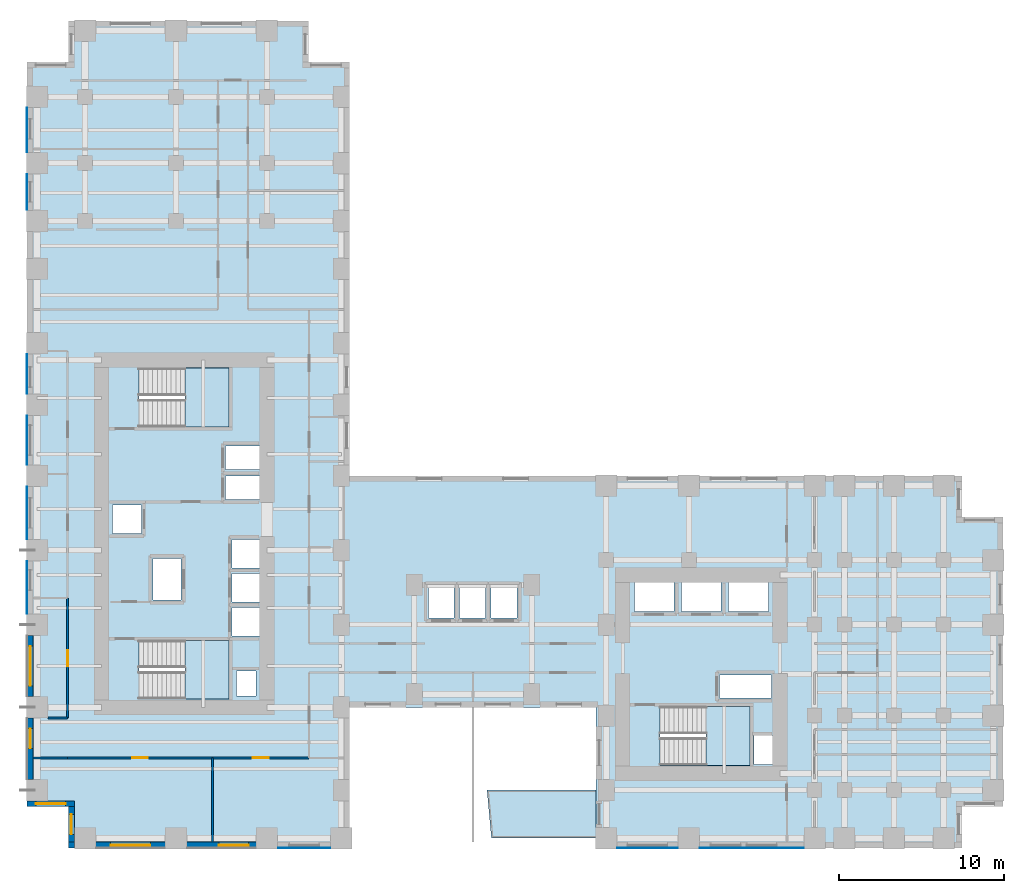
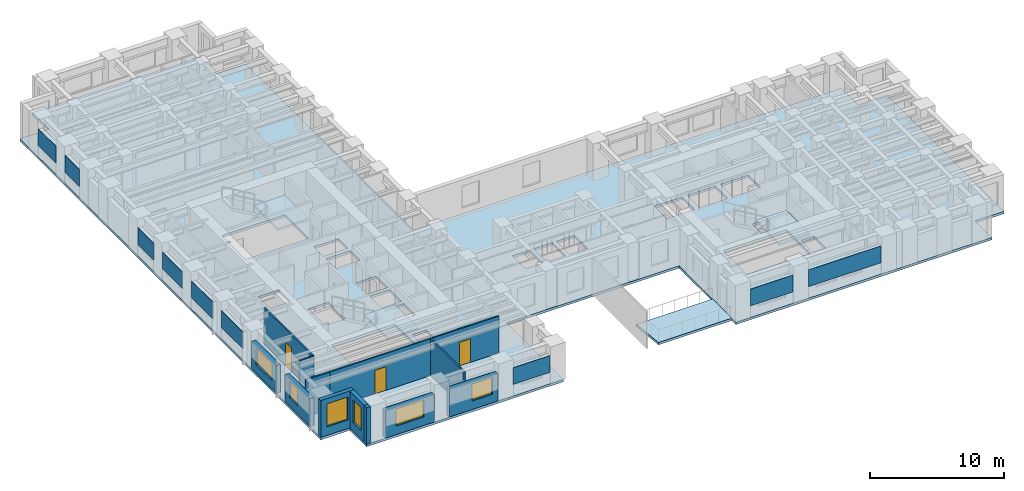
# One storey, part 3 of 13: 13 walls, 9 plates, 6 windows, 5 slabs, 3 doors, 9 openings, 3 elements without a shape of their own.
"""IFC4 building model written with IfcOpenShell, lengths in metres."""

from ifc_helpers import new_model, si_unit, direction, frame, frame_2d, origin, origin_2d, place, context, subcontext, project, spatial, polyline, rectangle, outline, extrude, source, transform, mapped, material, layer, layer_set, type_object, element, fill, aggregate, save


model = new_model("IFC4")

# Units and contexts
model_context = context("Model", 3, precision=1e-05, world=origin(), true_north=direction((0.0, 1.0)))
body_context = subcontext(model_context, "Body", "Model", "MODEL_VIEW")
ifc_project = project(units=[si_unit("LENGTHUNIT", "METRE"), si_unit("AREAUNIT", "SQUARE_METRE"), si_unit("VOLUMEUNIT", "CUBIC_METRE"), si_unit("PLANEANGLEUNIT", "RADIAN"), si_unit("MASSUNIT", "GRAM", prefix="KILO")], contexts=[model_context])

# Site, building, storey
site_placement = place(None, origin())
site = spatial("IfcSite", under=ifc_project, at=site_placement, CompositionType="ELEMENT")
building_placement = place(site_placement, origin())
building = spatial("IfcBuilding", under=site, at=building_placement, Name="Kharzan Plaza Tower", CompositionType="ELEMENT")
storey_placement = place(building_placement, frame((0.0, 0.0, 47.699951171875)))
storey = spatial("IfcBuildingStorey", under=building, at=storey_placement, Name="L12", CompositionType="ELEMENT", Elevation=47.699951171875)

# Slab
ifc_material_1 = material(Name="Concrete C40/50", Category="concrete")
ifc_layer_1 = layer(ifc_material_1, 0.219970703125)
ifc_layer_set_1 = layer_set([ifc_layer_1], Name="Concrete C40/50")
slab_type_1 = type_object("IfcSlabType", Name="SL-FLOOR-220", PredefinedType="FLOOR", material=ifc_layer_set_1)
slab_1_placement = place(storey_placement, frame((0.0, 0.0, -0.219970703125)))
element("IfcSlab", 1, at=slab_1_placement, inside=storey, type_object=slab_type_1, Name="L12 Composite Structural Floor Slab 220 mm", PredefinedType="FLOOR", context=body_context, shape_type="SweptSolid", body=[
    extrude(outline(polyline([(34.39990234375, 22.5), (19.5, 22.5), (19.5, 47.5), (17.0, 47.5), (17.0, 50.0), (2.5, 50.0), (2.5, 47.5), (0.0, 47.5), (0.0, 2.5), (2.5, 2.5), (2.5, 0.0), (19.5, 0.0), (19.5, 8.5), (34.39990234375, 8.5), (34.39990234375, 0.0), (56.5, 0.0), (56.5, 2.5), (59.0, 2.5), (59.0, 20.0), (56.5, 20.0), (56.5, 22.5), (34.39990234375, 22.5)]), holes=[polyline([(13.85009765625, 9.199951171875), (13.85009765625, 10.699951171875), (12.64990234375, 10.699951171875), (12.64990234375, 9.199951171875), (13.85009765625, 9.199951171875)]), polyline([(12.199951171875, 9.0), (12.199951171875, 12.550048828125), (6.75, 12.550048828125), (6.75, 9.0), (12.199951171875, 9.0)]), polyline([(14.10009765625, 12.800048828125), (14.10009765625, 14.530029296875), (12.39990234375, 14.530029296875), (12.39990234375, 12.800048828125), (14.10009765625, 12.800048828125)]), polyline([(14.10009765625, 14.8701171875), (14.10009765625, 16.60009765625), (12.39990234375, 16.60009765625), (12.39990234375, 14.8701171875), (14.10009765625, 14.8701171875)]), polyline([(9.300048828125, 15.0), (9.300048828125, 17.5), (7.60009765625, 17.5), (7.60009765625, 15.0), (9.300048828125, 15.0)]), polyline([(14.10009765625, 16.93994140625), (14.10009765625, 18.64990234375), (12.39990234375, 18.64990234375), (12.39990234375, 16.93994140625), (14.10009765625, 16.93994140625)]), polyline([(6.89990234375, 19.010009765625), (6.89990234375, 20.72998046875), (5.14990234375, 20.72998046875), (5.14990234375, 19.010009765625), (6.89990234375, 19.010009765625)]), polyline([(12.0, 21.070068359375), (14.10009765625, 21.070068359375), (14.10009765625, 22.489990234375), (12.0, 22.489990234375), (12.0, 21.070068359375)]), polyline([(12.0, 22.8701171875), (14.10009765625, 22.8701171875), (14.10009765625, 24.2900390625), (12.0, 24.2900390625), (12.0, 22.8701171875)]), polyline([(12.199951171875, 25.449951171875), (12.199951171875, 29.0), (6.75, 29.0), (6.75, 25.449951171875), (12.199951171875, 25.449951171875)]), polyline([(45.050048828125, 5.050048828125), (45.050048828125, 6.800048828125), (43.949951171875, 6.800048828125), (43.949951171875, 5.050048828125), (45.050048828125, 5.050048828125)]), polyline([(43.699951171875, 5.0), (43.699951171875, 8.550048828125), (38.25, 8.550048828125), (38.25, 5.0), (43.699951171875, 5.0)]), polyline([(41.85009765625, 9.070068359375), (45.0, 9.070068359375), (45.0, 10.469970703125), (41.85009765625, 10.469970703125), (41.85009765625, 9.070068359375)]), polyline([(24.25, 13.89990234375), (25.800048828125, 13.89990234375), (25.800048828125, 15.85009765625), (24.25, 15.85009765625), (24.25, 13.89990234375)]), polyline([(27.699951171875, 13.89990234375), (27.699951171875, 15.85009765625), (26.14990234375, 15.85009765625), (26.14990234375, 13.89990234375), (27.699951171875, 13.89990234375)]), polyline([(29.60009765625, 13.89990234375), (29.60009765625, 15.85009765625), (28.050048828125, 15.85009765625), (28.050048828125, 13.89990234375), (29.60009765625, 13.89990234375)]), polyline([(39.10009765625, 14.300048828125), (39.10009765625, 16.14990234375), (36.699951171875, 16.14990234375), (36.699951171875, 14.300048828125), (39.10009765625, 14.300048828125)]), polyline([(39.550048828125, 14.300048828125), (41.949951171875, 14.300048828125), (41.949951171875, 16.14990234375), (39.550048828125, 16.14990234375), (39.550048828125, 14.300048828125)]), polyline([(42.39990234375, 14.300048828125), (44.800048828125, 14.300048828125), (44.800048828125, 16.14990234375), (42.39990234375, 16.14990234375), (42.39990234375, 14.300048828125)])]), origin(), (0.0, 0.0, 1.0), 0.219970703125),
])

# Stair, slab
stair_type_1 = type_object("IfcStairType", Name="STR-ST-1", PredefinedType="HALF_TURN_STAIR", material=ifc_material_1)
stair_1_placement = place(storey_placement, origin())
stair_1 = element("IfcStair", 2, at=stair_1_placement, inside=storey, type_object=stair_type_1, Name="L12 Protected Exit Stair ST-1", PredefinedType="HALF_TURN_STAIR")
ifc_layer_2 = layer(ifc_material_1, 0.219970703125)
ifc_layer_set_2 = layer_set([ifc_layer_2], Name="Concrete C40/50")
slab_type_2 = type_object("IfcSlabType", Name="SL-LANDING-220", PredefinedType="LANDING", material=ifc_layer_set_2)
slab_2_placement = place(storey_placement, frame((0.0, 0.0, 1.60009765625)))
slab_2 = element("IfcSlab", 3, at=slab_2_placement, type_object=slab_type_2, Name="ST-1 landing 1", PredefinedType="LANDING", context=body_context, shape_type="SweptSolid", body=[
    extrude(outline(polyline([(9.550048828125, 9.0), (12.199951171875, 9.0), (12.199951171875, 12.550048828125), (9.550048828125, 12.550048828125), (9.550048828125, 9.0)])), origin(), (0.0, 0.0, 1.0), 0.199951171875),
])
aggregate(stair_1, [slab_2])

stair_type_2 = type_object("IfcStairType", Name="STR-ST-2", PredefinedType="HALF_TURN_STAIR", material=ifc_material_1)
stair_2_placement = place(storey_placement, origin())
stair_2 = element("IfcStair", 4, at=stair_2_placement, inside=storey, type_object=stair_type_2, Name="L12 Protected Exit Stair ST-2", PredefinedType="HALF_TURN_STAIR")
slab_3_placement = place(storey_placement, frame((0.0, 0.0, 1.60009765625)))
slab_3 = element("IfcSlab", 5, at=slab_3_placement, type_object=slab_type_2, Name="ST-2 landing 1", PredefinedType="LANDING", context=body_context, shape_type="SweptSolid", body=[
    extrude(outline(polyline([(9.550048828125, 25.449951171875), (12.199951171875, 25.449951171875), (12.199951171875, 29.0), (9.550048828125, 29.0), (9.550048828125, 25.449951171875)])), origin(), (0.0, 0.0, 1.0), 0.199951171875),
])
aggregate(stair_2, [slab_3])

stair_type_3 = type_object("IfcStairType", Name="STR-ST-3", PredefinedType="HALF_TURN_STAIR", material=ifc_material_1)
stair_3_placement = place(storey_placement, origin())
stair_3 = element("IfcStair", 6, at=stair_3_placement, inside=storey, type_object=stair_type_3, Name="L12 Protected Exit Stair ST-3", PredefinedType="HALF_TURN_STAIR")
slab_4_placement = place(storey_placement, frame((0.0, 0.0, 1.60009765625)))
slab_4 = element("IfcSlab", 7, at=slab_4_placement, type_object=slab_type_2, Name="ST-3 landing 1", PredefinedType="LANDING", context=body_context, shape_type="SweptSolid", body=[
    extrude(outline(polyline([(41.050048828125, 5.0), (43.699951171875, 5.0), (43.699951171875, 8.550048828125), (41.050048828125, 8.550048828125), (41.050048828125, 5.0)])), origin(), (0.0, 0.0, 1.0), 0.199951171875),
])
aggregate(stair_3, [slab_4])

# Slab
ifc_layer_3 = layer(ifc_material_1, 0.215087890625)
ifc_layer_set_3 = layer_set([ifc_layer_3], Name="Concrete C40/50")
slab_type_3 = type_object("IfcSlabType", Name="SL-TRAY-215", PredefinedType="ROOF", material=ifc_layer_set_3)
slab_5_placement = place(storey_placement, frame((0.0, 0.0, -0.21484375)))
element("IfcSlab", 8, at=slab_5_placement, inside=storey, type_object=slab_type_3, Name="L12 Sky Terrace Tray Slab", PredefinedType="ROOF", context=body_context, shape_type="SweptSolid", body=[
    extrude(outline(polyline([(28.06396484375, 0.60009765625), (34.39990234375, 0.60009765625), (34.39990234375, 3.5), (27.800048828125, 3.5), (28.06396484375, 0.60009765625)])), origin(), (0.0, 0.0, 1.0), 0.21484375),
])

# Plates
ifc_material_2 = material(Name="Perforated Bronze-Anodized Aluminium", Category="aluminium")
ifc_layer_4 = layer(ifc_material_2, 0.030029296875)
ifc_layer_set_4 = layer_set([ifc_layer_4], Name="Perforated Bronze-Anodized Aluminium")
plate_type = type_object("IfcPlateType", Name="PLT-MASH-SCREEN", PredefinedType="SHEET", material=ifc_layer_set_4)
shared_shape_1 = source(origin(), body_context, "Body", "SweptSolid", [
    extrude(rectangle(XDim=2.6640625, YDim=0.030029296875, at=origin_2d()), origin(), (0.0, 0.0, 1.0), 1.530029296875),
])
plate_1_placement = place(storey_placement, frame((-0.012939453125, 43.39990234375, 1.06494140625), z_axis=(0.0, 0.0, 1.0), x_axis=(0.0, -1.0, 0.0)))
element("IfcPlate", 9, at=plate_1_placement, inside=storey, type_object=plate_type, Name="L12 Perforated Mashrabiya Solar Screen", PredefinedType="SHEET", context=body_context, shape_type="MappedRepresentation", body=[
    mapped(shared_shape_1, transform((0.0, 0.0, 0.0), x_axis=(1.0, 0.0, 0.0), y_axis=(0.0, 1.0, 0.0), z_axis=(0.0, 0.0, 1.0))),
])
shared_shape_2 = source(origin(), body_context, "Body", "SweptSolid", [
    extrude(rectangle(XDim=2.1640625, YDim=0.030029296875, at=origin_2d()), origin(), (0.0, 0.0, 1.0), 1.530029296875),
])
plate_2_placement = place(storey_placement, frame((-0.012939453125, 39.64990234375, 1.06494140625), z_axis=(0.0, 0.0, 1.0), x_axis=(0.0, -1.0, 0.0)))
element("IfcPlate", 10, at=plate_2_placement, inside=storey, type_object=plate_type, Name="L12 Perforated Mashrabiya Solar Screen", PredefinedType="SHEET", context=body_context, shape_type="MappedRepresentation", body=[
    mapped(shared_shape_2, transform((0.0, 0.0, 0.0), x_axis=(1.0, 0.0, 0.0), y_axis=(0.0, 1.0, 0.0), z_axis=(0.0, 0.0, 1.0))),
])
shared_shape_3 = source(origin(), body_context, "Body", "SweptSolid", [
    extrude(rectangle(XDim=2.364013671875, YDim=0.030029296875, at=origin_2d()), origin(), (0.0, 0.0, 1.0), 1.530029296875),
])
plate_3_placement = place(storey_placement, frame((-0.012939453125, 28.64990234375, 1.06494140625), z_axis=(0.0, 0.0, 1.0), x_axis=(0.0, -1.0, 0.0)))
element("IfcPlate", 11, at=plate_3_placement, inside=storey, type_object=plate_type, Name="L12 Perforated Mashrabiya Solar Screen", PredefinedType="SHEET", context=body_context, shape_type="MappedRepresentation", body=[
    mapped(shared_shape_3, transform((0.0, 0.0, 0.0), x_axis=(1.0, 0.0, 0.0), y_axis=(0.0, 1.0, 0.0), z_axis=(0.0, 0.0, 1.0))),
])
shared_shape_4 = source(origin(), body_context, "Body", "SweptSolid", [
    extrude(rectangle(XDim=2.964111328125, YDim=0.030029296875, at=origin_2d()), origin(), (0.0, 0.0, 1.0), 1.530029296875),
])
plate_4_placement = place(storey_placement, frame((-0.012939453125, 24.64990234375, 1.06494140625), z_axis=(0.0, 0.0, 1.0), x_axis=(0.0, -1.0, 0.0)))
element("IfcPlate", 12, at=plate_4_placement, inside=storey, type_object=plate_type, Name="L12 Perforated Mashrabiya Solar Screen", PredefinedType="SHEET", context=body_context, shape_type="MappedRepresentation", body=[
    mapped(shared_shape_4, transform((0.0, 0.0, 0.0), x_axis=(1.0, 0.0, 0.0), y_axis=(0.0, 1.0, 0.0), z_axis=(0.0, 0.0, 1.0))),
])
shared_shape_5 = source(origin(), body_context, "Body", "SweptSolid", [
    extrude(rectangle(XDim=3.1640625, YDim=0.030029296875, at=origin_2d()), origin(), (0.0, 0.0, 1.0), 1.530029296875),
])
for number, where, z_axis, x_axis, name in (
    (13, (-0.012939453125, 20.25, 1.06494140625), (0.0, 0.0, 1.0), (0.0, -1.0, 0.0), "L12 Perforated Mashrabiya Solar Screen"),
    (14, (-0.012939453125, 15.75, 1.06494140625), (0.0, 0.0, 1.0), (0.0, -1.0, 0.0), "L12 Perforated Mashrabiya Solar Screen"),
    (15, (16.75, -0.012939453125, 1.06494140625), (0.0, 0.0, 1.0), (1.0, 0.0, 0.0), "L12 Perforated Mashrabiya Solar Screen"),
):
    element("IfcPlate", number, at=place(storey_placement, frame(where, z_axis=z_axis, x_axis=x_axis)), inside=storey, type_object=plate_type, Name=name, PredefinedType="SHEET", context=body_context, shape_type="MappedRepresentation", body=[
        mapped(shared_shape_5, transform((0.0, 0.0, 0.0), x_axis=(1.0, 0.0, 0.0), y_axis=(0.0, 1.0, 0.0), z_axis=(0.0, 0.0, 1.0))),
    ])
shared_shape_6 = source(origin(), body_context, "Body", "SweptSolid", [
    extrude(rectangle(XDim=3.6640625, YDim=0.030029296875, at=origin_2d()), origin(), (0.0, 0.0, 1.0), 1.530029296875),
])
plate_5_placement = place(storey_placement, frame((37.5, -0.012939453125, 1.06494140625), z_axis=(0.0, 0.0, 1.0), x_axis=(1.0, 0.0, 0.0)))
element("IfcPlate", 16, at=plate_5_placement, inside=storey, type_object=plate_type, Name="L12 Perforated Mashrabiya Solar Screen", PredefinedType="SHEET", context=body_context, shape_type="MappedRepresentation", body=[
    mapped(shared_shape_6, transform((0.0, 0.0, 0.0), x_axis=(1.0, 0.0, 0.0), y_axis=(0.0, 1.0, 0.0), z_axis=(0.0, 0.0, 1.0))),
])
shared_shape_7 = source(origin(), body_context, "Body", "SweptSolid", [
    extrude(rectangle(XDim=6.263916015625, YDim=0.030029296875, at=origin_2d()), origin(), (0.0, 0.0, 1.0), 1.530029296875),
])
plate_6_placement = place(storey_placement, frame((43.800048828125, -0.012939453125, 1.06494140625), z_axis=(0.0, 0.0, 1.0), x_axis=(1.0, 0.0, 0.0)))
element("IfcPlate", 17, at=plate_6_placement, inside=storey, type_object=plate_type, Name="L12 Perforated Mashrabiya Solar Screen", PredefinedType="SHEET", context=body_context, shape_type="MappedRepresentation", body=[
    mapped(shared_shape_7, transform((0.0, 0.0, 0.0), x_axis=(1.0, 0.0, 0.0), y_axis=(0.0, 1.0, 0.0), z_axis=(0.0, 0.0, 1.0))),
])

# Wall, opening, window
ifc_layer_5 = layer(ifc_material_1, 0.35009765625)
ifc_layer_set_5 = layer_set([ifc_layer_5], Name="Concrete C40/50")
wall_type_1 = type_object("IfcWallType", Name="WL-EXT-MAS-Z1", PredefinedType="SOLIDWALL", material=ifc_layer_set_5)
wall_1_placement = place(storey_placement, frame((0.175048828125, 12.85205078125, 0.0), z_axis=(0.0, 0.0, 1.0), x_axis=(0.0, -1.0, 0.0)))
wall_1 = element("IfcWall", 18, at=wall_1_placement, inside=storey, type_object=wall_type_1, Name="L12 Masonry-Frame Exterior Wall 18", PredefinedType="SOLIDWALL", context=body_context, shape_type="SweptSolid", body=[
    extrude(rectangle(XDim=3.7041015625, YDim=0.35009765625, at=frame_2d((1.85205078125, 0.0))), origin(), (0.0, 0.0, 1.0), 2.510009765625),
])
opening_1_placement = place(wall_1_placement, frame((0.652099609375, 0.0, 0.780029296875)))
opening_1 = element("IfcOpeningElement", 19, at=opening_1_placement, cuts=wall_1, Name="Opening W2", PredefinedType="OPENING", context=body_context, shape_type="SweptSolid", body=[
    extrude(rectangle(XDim=2.39990234375, YDim=1.550048828125, at=frame_2d((1.199951171875, 0.77490234375))), frame((0.0, 0.18505859375, 0.0), z_axis=(0.0, -1.0, 0.0), x_axis=(1.0, 0.0, 0.0)), (0.0, 0.0, 1.0), 0.3701171875),
])
ifc_material_3 = material(Name="Low-E Double Glazing", Category="glass")
window_type_1 = type_object("IfcWindowType", Name="WN-REC-2400x2100", PartitioningType="SINGLE_PANEL", PredefinedType="WINDOW", material=ifc_material_3)
shared_shape_8 = source(origin(), body_context, "Body", "SweptSolid", [
    extrude(rectangle(XDim=2.39990234375, YDim=1.550048828125, at=frame_2d((1.199951171875, 0.77490234375))), frame((0.0, 0.030029296875, 0.0), z_axis=(0.0, -1.0, 0.0), x_axis=(1.0, 0.0, 0.0)), (0.0, 0.0, 1.0), 0.06005859375),
])
window_1_placement = place(opening_1_placement, origin())
window_1 = element("IfcWindow", 20, at=window_1_placement, inside=storey, type_object=window_type_1, Name="L12 Wide Recessed Solar-Control Window 18-1", OverallHeight=1.550048828125, OverallWidth=2.39990234375, PartitioningType="SINGLE_PANEL", PredefinedType="WINDOW", context=body_context, shape_type="MappedRepresentation", body=[
    mapped(shared_shape_8, transform((0.0, 0.0, 0.0), x_axis=(1.0, 0.0, 0.0), y_axis=(0.0, 1.0, 0.0), z_axis=(0.0, 0.0, 1.0))),
])
fill(opening_1, window_1)

wall_2_placement = place(storey_placement, frame((0.175048828125, 7.85205078125, 0.0), z_axis=(0.0, 0.0, 1.0), x_axis=(0.0, -1.0, 0.0)))
wall_2 = element("IfcWall", 21, at=wall_2_placement, inside=storey, type_object=wall_type_1, Name="L12 Masonry-Frame Exterior Wall 19", PredefinedType="SOLIDWALL", context=body_context, shape_type="SweptSolid", body=[
    extrude(rectangle(XDim=3.7041015625, YDim=0.35009765625, at=frame_2d((1.85205078125, 0.0))), origin(), (0.0, 0.0, 1.0), 2.510009765625),
])
opening_2_placement = place(wall_2_placement, frame((0.635986328125, 0.0, 0.780029296875)))
opening_2 = element("IfcOpeningElement", 22, at=opening_2_placement, cuts=wall_2, Name="Opening W3", PredefinedType="OPENING", context=body_context, shape_type="SweptSolid", body=[
    extrude(rectangle(XDim=1.199951171875, YDim=1.550048828125, at=frame_2d((0.60009765625, 0.77490234375))), frame((0.0, 0.18505859375, 0.0), z_axis=(0.0, -1.0, 0.0), x_axis=(1.0, 0.0, 0.0)), (0.0, 0.0, 1.0), 0.3701171875),
])
window_type_2 = type_object("IfcWindowType", Name="WN-REC-1200x2100", PartitioningType="SINGLE_PANEL", PredefinedType="WINDOW", material=ifc_material_3)
shared_shape_9 = source(origin(), body_context, "Body", "SweptSolid", [
    extrude(rectangle(XDim=1.199951171875, YDim=1.550048828125, at=frame_2d((0.60009765625, 0.77490234375))), frame((0.0, 0.030029296875, 0.0), z_axis=(0.0, -1.0, 0.0), x_axis=(1.0, 0.0, 0.0)), (0.0, 0.0, 1.0), 0.06005859375),
])
window_2_placement = place(opening_2_placement, origin())
window_2 = element("IfcWindow", 23, at=window_2_placement, inside=storey, type_object=window_type_2, Name="L12 Recessed Solar-Control Window 19-1", OverallHeight=1.550048828125, OverallWidth=1.199951171875, PartitioningType="SINGLE_PANEL", PredefinedType="WINDOW", context=body_context, shape_type="MappedRepresentation", body=[
    mapped(shared_shape_9, transform((0.0, 0.0, 0.0), x_axis=(1.0, 0.0, 0.0), y_axis=(0.0, 1.0, 0.0), z_axis=(0.0, 0.0, 1.0))),
])
fill(opening_2, window_2)

wall_3_placement = place(storey_placement, frame((0.0, 2.675048828125, 0.0), z_axis=(0.0, 0.0, 1.0), x_axis=(1.0, 0.0, 0.0)))
wall_3 = element("IfcWall", 24, at=wall_3_placement, inside=storey, type_object=wall_type_1, Name="L12 Masonry-Frame Exterior Wall 20", PredefinedType="SOLIDWALL", context=body_context, shape_type="SweptSolid", body=[
    extrude(rectangle(XDim=2.85009765625, YDim=0.35009765625, at=frame_2d((1.425048828125, 0.0))), origin(), (0.0, 0.0, 1.0), 3.364990234375),
])
opening_3_placement = place(wall_3_placement, frame((0.52490234375, 0.0, 0.780029296875)))
opening_3 = element("IfcOpeningElement", 25, at=opening_3_placement, cuts=wall_3, Name="Opening W1", PredefinedType="OPENING", context=body_context, shape_type="SweptSolid", body=[
    extrude(rectangle(XDim=1.800048828125, YDim=2.10009765625, at=frame_2d((0.89990234375, 1.050048828125))), frame((0.0, 0.18505859375, 0.0), z_axis=(0.0, -1.0, 0.0), x_axis=(1.0, 0.0, 0.0)), (0.0, 0.0, 1.0), 0.3701171875),
])
window_type_3 = type_object("IfcWindowType", Name="WN-REC-1800x2100", PartitioningType="SINGLE_PANEL", PredefinedType="WINDOW", material=ifc_material_3)
shared_shape_10 = source(origin(), body_context, "Body", "SweptSolid", [
    extrude(rectangle(XDim=1.800048828125, YDim=2.10009765625, at=frame_2d((0.89990234375, 1.050048828125))), frame((0.0, 0.030029296875, 0.0), z_axis=(0.0, -1.0, 0.0), x_axis=(1.0, 0.0, 0.0)), (0.0, 0.0, 1.0), 0.06005859375),
])
window_3_placement = place(opening_3_placement, origin())
window_3 = element("IfcWindow", 26, at=window_3_placement, inside=storey, type_object=window_type_3, Name="L12 Recessed Solar-Control Window 20-1", OverallHeight=2.10009765625, OverallWidth=1.800048828125, PartitioningType="SINGLE_PANEL", PredefinedType="WINDOW", context=body_context, shape_type="MappedRepresentation", body=[
    mapped(shared_shape_10, transform((0.0, 0.0, 0.0), x_axis=(1.0, 0.0, 0.0), y_axis=(0.0, 1.0, 0.0), z_axis=(0.0, 0.0, 1.0))),
])
fill(opening_3, window_3)

wall_4_placement = place(storey_placement, frame((2.675048828125, 2.501953125, 0.0), z_axis=(0.0, 0.0, 1.0), x_axis=(0.0, -1.0, 0.0)))
wall_4 = element("IfcWall", 27, at=wall_4_placement, inside=storey, type_object=wall_type_1, Name="L12 Masonry-Frame Exterior Wall 21", PredefinedType="SOLIDWALL", context=body_context, shape_type="SweptSolid", body=[
    extrude(rectangle(XDim=2.154052734375, YDim=0.35009765625, at=frame_2d((1.0771484375, 0.0))), origin(), (0.0, 0.0, 1.0), 3.364990234375),
])
opening_4_placement = place(wall_4_placement, frame((0.47705078125, 0.0, 0.780029296875)))
opening_4 = element("IfcOpeningElement", 28, at=opening_4_placement, cuts=wall_4, Name="Opening W3", PredefinedType="OPENING", context=body_context, shape_type="SweptSolid", body=[
    extrude(rectangle(XDim=1.199951171875, YDim=2.10009765625, at=frame_2d((0.60009765625, 1.050048828125))), frame((0.0, 0.18505859375, 0.0), z_axis=(0.0, -1.0, 0.0), x_axis=(1.0, 0.0, 0.0)), (0.0, 0.0, 1.0), 0.3701171875),
])
shared_shape_11 = source(origin(), body_context, "Body", "SweptSolid", [
    extrude(rectangle(XDim=1.199951171875, YDim=2.10009765625, at=frame_2d((0.60009765625, 1.050048828125))), frame((0.0, 0.030029296875, 0.0), z_axis=(0.0, -1.0, 0.0), x_axis=(1.0, 0.0, 0.0)), (0.0, 0.0, 1.0), 0.06005859375),
])
window_4_placement = place(opening_4_placement, origin())
window_4 = element("IfcWindow", 29, at=window_4_placement, inside=storey, type_object=window_type_2, Name="L12 Recessed Solar-Control Window 21-1", OverallHeight=2.10009765625, OverallWidth=1.199951171875, PartitioningType="SINGLE_PANEL", PredefinedType="WINDOW", context=body_context, shape_type="MappedRepresentation", body=[
    mapped(shared_shape_11, transform((0.0, 0.0, 0.0), x_axis=(1.0, 0.0, 0.0), y_axis=(0.0, 1.0, 0.0), z_axis=(0.0, 0.0, 1.0))),
])
fill(opening_4, window_4)

wall_5_placement = place(storey_placement, frame((4.14794921875, 0.175048828125, 0.0), z_axis=(0.0, 0.0, 1.0), x_axis=(1.0, 0.0, 0.0)))
wall_5 = element("IfcWall", 30, at=wall_5_placement, inside=storey, type_object=wall_type_1, Name="L12 Masonry-Frame Exterior Wall 23", PredefinedType="SOLIDWALL", context=body_context, shape_type="SweptSolid", body=[
    extrude(rectangle(XDim=4.2041015625, YDim=0.35009765625, at=frame_2d((2.10205078125, 0.0))), origin(), (0.0, 0.0, 1.0), 2.510009765625),
])
opening_5_placement = place(wall_5_placement, frame((0.902099609375, 0.0, 0.780029296875)))
opening_5 = element("IfcOpeningElement", 31, at=opening_5_placement, cuts=wall_5, Name="Opening W2", PredefinedType="OPENING", context=body_context, shape_type="SweptSolid", body=[
    extrude(rectangle(XDim=2.39990234375, YDim=1.550048828125, at=frame_2d((1.199951171875, 0.77490234375))), frame((0.0, 0.18505859375, 0.0), z_axis=(0.0, -1.0, 0.0), x_axis=(1.0, 0.0, 0.0)), (0.0, 0.0, 1.0), 0.3701171875),
])
window_5_placement = place(opening_5_placement, origin())
window_5 = element("IfcWindow", 32, at=window_5_placement, inside=storey, type_object=window_type_1, Name="L12 Wide Recessed Solar-Control Window 23-1", OverallHeight=1.550048828125, OverallWidth=2.39990234375, PartitioningType="SINGLE_PANEL", PredefinedType="WINDOW", context=body_context, shape_type="MappedRepresentation", body=[
    mapped(shared_shape_8, transform((0.0, 0.0, 0.0), x_axis=(1.0, 0.0, 0.0), y_axis=(0.0, 1.0, 0.0), z_axis=(0.0, 0.0, 1.0))),
])
fill(opening_5, window_5)

wall_6_placement = place(storey_placement, frame((9.64794921875, 0.175048828125, 0.0), z_axis=(0.0, 0.0, 1.0), x_axis=(1.0, 0.0, 0.0)))
wall_6 = element("IfcWall", 33, at=wall_6_placement, inside=storey, type_object=wall_type_1, Name="L12 Masonry-Frame Exterior Wall 24", PredefinedType="SOLIDWALL", context=body_context, shape_type="SweptSolid", body=[
    extrude(rectangle(XDim=4.2041015625, YDim=0.35009765625, at=frame_2d((2.10205078125, 0.0))), origin(), (0.0, 0.0, 1.0), 2.510009765625),
])
opening_6_placement = place(wall_6_placement, frame((1.946044921875, 0.0, 0.780029296875)))
opening_6 = element("IfcOpeningElement", 34, at=opening_6_placement, cuts=wall_6, Name="Opening W1", PredefinedType="OPENING", context=body_context, shape_type="SweptSolid", body=[
    extrude(rectangle(XDim=1.800048828125, YDim=1.550048828125, at=frame_2d((0.89990234375, 0.77490234375))), frame((0.0, 0.18505859375, 0.0), z_axis=(0.0, -1.0, 0.0), x_axis=(1.0, 0.0, 0.0)), (0.0, 0.0, 1.0), 0.3701171875),
])
shared_shape_12 = source(origin(), body_context, "Body", "SweptSolid", [
    extrude(rectangle(XDim=1.800048828125, YDim=1.550048828125, at=frame_2d((0.89990234375, 0.77490234375))), frame((0.0, 0.030029296875, 0.0), z_axis=(0.0, -1.0, 0.0), x_axis=(1.0, 0.0, 0.0)), (0.0, 0.0, 1.0), 0.06005859375),
])
window_6_placement = place(opening_6_placement, origin())
window_6 = element("IfcWindow", 35, at=window_6_placement, inside=storey, type_object=window_type_3, Name="L12 Recessed Solar-Control Window 24-1", OverallHeight=1.550048828125, OverallWidth=1.800048828125, PartitioningType="SINGLE_PANEL", PredefinedType="WINDOW", context=body_context, shape_type="MappedRepresentation", body=[
    mapped(shared_shape_12, transform((0.0, 0.0, 0.0), x_axis=(1.0, 0.0, 0.0), y_axis=(0.0, 1.0, 0.0), z_axis=(0.0, 0.0, 1.0))),
])
fill(opening_6, window_6)

# Wall, opening, door
ifc_material_4 = material(Name="Fire-Rated Gypsum Board Partition", Category="gypsum")
ifc_layer_6 = layer(ifc_material_4, 0.125)
ifc_layer_set_6 = layer_set([ifc_layer_6], Name="Fire-Rated Gypsum Board Partition")
wall_type_2 = type_object("IfcWallType", Name="WL-INT-PART-125", PredefinedType="PARTITIONING", material=ifc_layer_set_6)
wall_7_placement = place(storey_placement, frame((2.449951171875, 5.449951171875, 0.0), z_axis=(0.0, 0.0, 1.0), x_axis=(1.0, 0.0, 0.0)))
wall_7 = element("IfcWall", 36, at=wall_7_placement, inside=storey, type_object=wall_type_2, Name="L12 Interior Partition SH-SS-1", PredefinedType="PARTITIONING", context=body_context, shape_type="SweptSolid", body=[
    extrude(rectangle(XDim=8.756103515625, YDim=0.125, at=frame_2d((4.3779296875, 0.0))), origin(), (0.0, 0.0, 1.0), 3.364990234375),
])
opening_7_placement = place(wall_7_placement, frame((3.903076171875, 0.0, 0.0)))
opening_7 = element("IfcOpeningElement", 37, at=opening_7_placement, cuts=wall_7, Name="Opening OD1", PredefinedType="OPENING", context=body_context, shape_type="SweptSolid", body=[
    extrude(rectangle(XDim=0.949951171875, YDim=2.14990234375, at=frame_2d((0.47509765625, 1.074951171875))), frame((0.0, 0.072509765625, 0.0), z_axis=(0.0, -1.0, 0.0), x_axis=(1.0, 0.0, 0.0)), (0.0, 0.0, 1.0), 0.14501953125),
])
ifc_material_5 = material(Name="Acoustic Solid-Core Stained Oak", Category="timber")
door_type = type_object("IfcDoorType", Name="DR-OFF-SINGLE", OperationType="NOTDEFINED", PredefinedType="DOOR", material=ifc_material_5)
shared_shape_13 = source(origin(), body_context, "Body", "SweptSolid", [
    extrude(rectangle(XDim=0.949951171875, YDim=2.14990234375, at=frame_2d((0.47509765625, 1.074951171875))), frame((0.0, 0.02490234375, 0.0), z_axis=(0.0, -1.0, 0.0), x_axis=(1.0, 0.0, 0.0)), (0.0, 0.0, 1.0), 0.050048828125),
])
door_1_placement = place(opening_7_placement, origin())
door_1 = element("IfcDoor", 38, at=door_1_placement, inside=storey, type_object=door_type, Name="L12 Design Review Briefing Room Door", OperationType="SINGLE_SWING_RIGHT", OverallHeight=2.14990234375, OverallWidth=0.949951171875, PredefinedType="DOOR", context=body_context, shape_type="MappedRepresentation", body=[
    mapped(shared_shape_13, transform((0.0, 0.0, 0.0), x_axis=(1.0, 0.0, 0.0), y_axis=(0.0, 1.0, 0.0), z_axis=(0.0, 0.0, 1.0))),
])
fill(opening_7, door_1)

wall_8_placement = place(storey_placement, frame((11.2060546875, 5.449951171875, 0.0), z_axis=(0.0, 0.0, 1.0), x_axis=(1.0, 0.0, 0.0)))
wall_8 = element("IfcWall", 39, at=wall_8_placement, inside=storey, type_object=wall_type_2, Name="L12 Interior Partition SH-SS-2", PredefinedType="PARTITIONING", context=body_context, shape_type="SweptSolid", body=[
    extrude(rectangle(XDim=5.843994140625, YDim=0.125, at=frame_2d((2.921875, 0.0))), origin(), (0.0, 0.0, 1.0), 3.364990234375),
])
opening_8_placement = place(wall_8_placement, frame((2.447021484375, 0.0, 0.0)))
opening_8 = element("IfcOpeningElement", 40, at=opening_8_placement, cuts=wall_8, Name="Opening OD1", PredefinedType="OPENING", context=body_context, shape_type="SweptSolid", body=[
    extrude(rectangle(XDim=0.949951171875, YDim=2.14990234375, at=frame_2d((0.47509765625, 1.074951171875))), frame((0.0, 0.072509765625, 0.0), z_axis=(0.0, -1.0, 0.0), x_axis=(1.0, 0.0, 0.0)), (0.0, 0.0, 1.0), 0.14501953125),
])
door_2_placement = place(opening_8_placement, origin())
door_2 = element("IfcDoor", 41, at=door_2_placement, inside=storey, type_object=door_type, Name="L12 Client Presentation Room Door", OperationType="SINGLE_SWING_LEFT", OverallHeight=2.14990234375, OverallWidth=0.949951171875, PredefinedType="DOOR", context=body_context, shape_type="MappedRepresentation", body=[
    mapped(shared_shape_13, transform((0.0, 0.0, 0.0), x_axis=(1.0, 0.0, 0.0), y_axis=(0.0, 1.0, 0.0), z_axis=(0.0, 0.0, 1.0))),
])
fill(opening_8, door_2)

wall_9_placement = place(storey_placement, frame((2.449951171875, 7.85009765625, 0.0), z_axis=(0.0, 0.0, 1.0), x_axis=(0.0, 1.0, 0.0)))
wall_9 = element("IfcWall", 42, at=wall_9_placement, inside=storey, type_object=wall_type_2, Name="L12 Interior Partition SH-WW-1", PredefinedType="PARTITIONING", context=body_context, shape_type="SweptSolid", body=[
    extrude(rectangle(XDim=7.25, YDim=0.125, at=frame_2d((3.625, 0.0))), origin(), (0.0, 0.0, 1.0), 3.364990234375),
])
opening_9_placement = place(wall_9_placement, frame((3.14990234375, 0.0, 0.0)))
opening_9 = element("IfcOpeningElement", 43, at=opening_9_placement, cuts=wall_9, Name="Opening OD1", PredefinedType="OPENING", context=body_context, shape_type="SweptSolid", body=[
    extrude(rectangle(XDim=0.949951171875, YDim=2.14990234375, at=frame_2d((0.47509765625, 1.074951171875))), frame((0.0, 0.072509765625, 0.0), z_axis=(0.0, -1.0, 0.0), x_axis=(1.0, 0.0, 0.0)), (0.0, 0.0, 1.0), 0.14501953125),
])
door_3_placement = place(opening_9_placement, origin())
door_3 = element("IfcDoor", 44, at=door_3_placement, inside=storey, type_object=door_type, Name="L12 Cartography Drafting Studio Door", OperationType="SINGLE_SWING_LEFT", OverallHeight=2.14990234375, OverallWidth=0.949951171875, PredefinedType="DOOR", context=body_context, shape_type="MappedRepresentation", body=[
    mapped(shared_shape_13, transform((0.0, 0.0, 0.0), x_axis=(1.0, 0.0, 0.0), y_axis=(0.0, 1.0, 0.0), z_axis=(0.0, 0.0, 1.0))),
])
fill(opening_9, door_3)

# Walls
shared_shape_14 = source(origin(), body_context, "Body", "SweptSolid", [
    extrude(rectangle(XDim=0.35205078125, YDim=0.35009765625, at=frame_2d((0.176025390625, 0.0))), origin(), (0.0, 0.0, 1.0), 3.364990234375),
])
wall_10_placement = place(storey_placement, frame((2.5, 0.175048828125, 0.0), z_axis=(0.0, 0.0, 1.0), x_axis=(1.0, 0.0, 0.0)))
element("IfcWall", 45, at=wall_10_placement, inside=storey, type_object=wall_type_1, Name="L12 Masonry-Frame Exterior Wall 22", PredefinedType="SOLIDWALL", context=body_context, shape_type="MappedRepresentation", body=[
    mapped(shared_shape_14, transform((0.0, 0.0, 0.0), x_axis=(1.0, 0.0, 0.0), y_axis=(0.0, 1.0, 0.0), z_axis=(0.0, 0.0, 1.0))),
])
shared_shape_15 = source(origin(), body_context, "Body", "SweptSolid", [
    extrude(rectangle(XDim=1.18994140625, YDim=0.125, at=frame_2d((0.594970703125, 0.0))), origin(), (0.0, 0.0, 1.0), 3.364990234375),
])
wall_11_placement = place(storey_placement, frame((1.260009765625, 7.85009765625, 0.0), z_axis=(0.0, 0.0, 1.0), x_axis=(1.0, 0.0, 0.0)))
element("IfcWall", 46, at=wall_11_placement, inside=storey, type_object=wall_type_2, Name="L12 Interior Partition SH-RWS0", PredefinedType="PARTITIONING", context=body_context, shape_type="MappedRepresentation", body=[
    mapped(shared_shape_15, transform((0.0, 0.0, 0.0), x_axis=(1.0, 0.0, 0.0), y_axis=(0.0, 1.0, 0.0), z_axis=(0.0, 0.0, 1.0))),
])
shared_shape_16 = source(origin(), body_context, "Body", "SweptSolid", [
    extrude(rectangle(XDim=2.097900390625, YDim=0.125, at=frame_2d((1.048828125, 0.0))), origin(), (0.0, 0.0, 1.0), 3.364990234375),
])
wall_12_placement = place(storey_placement, frame((0.35205078125, 5.449951171875, 0.0), z_axis=(0.0, 0.0, 1.0), x_axis=(1.0, 0.0, 0.0)))
element("IfcWall", 47, at=wall_12_placement, inside=storey, type_object=wall_type_2, Name="L12 Interior Partition SH-SS-EXT", PredefinedType="PARTITIONING", context=body_context, shape_type="MappedRepresentation", body=[
    mapped(shared_shape_16, transform((0.0, 0.0, 0.0), x_axis=(1.0, 0.0, 0.0), y_axis=(0.0, 1.0, 0.0), z_axis=(0.0, 0.0, 1.0))),
])
shared_shape_17 = source(origin(), body_context, "Body", "SweptSolid", [
    extrude(rectangle(XDim=5.097900390625, YDim=0.125, at=frame_2d((2.548828125, 0.0))), origin(), (0.0, 0.0, 1.0), 3.364990234375),
])
wall_13_placement = place(storey_placement, frame((11.2060546875, 0.35205078125, 0.0), z_axis=(0.0, 0.0, 1.0), x_axis=(0.0, 1.0, 0.0)))
element("IfcWall", 48, at=wall_13_placement, inside=storey, type_object=wall_type_2, Name="L12 Interior Partition SH-SV-1", PredefinedType="PARTITIONING", context=body_context, shape_type="MappedRepresentation", body=[
    mapped(shared_shape_17, transform((0.0, 0.0, 0.0), x_axis=(1.0, 0.0, 0.0), y_axis=(0.0, 1.0, 0.0), z_axis=(0.0, 0.0, 1.0))),
])

save(model, "model.ifc")
